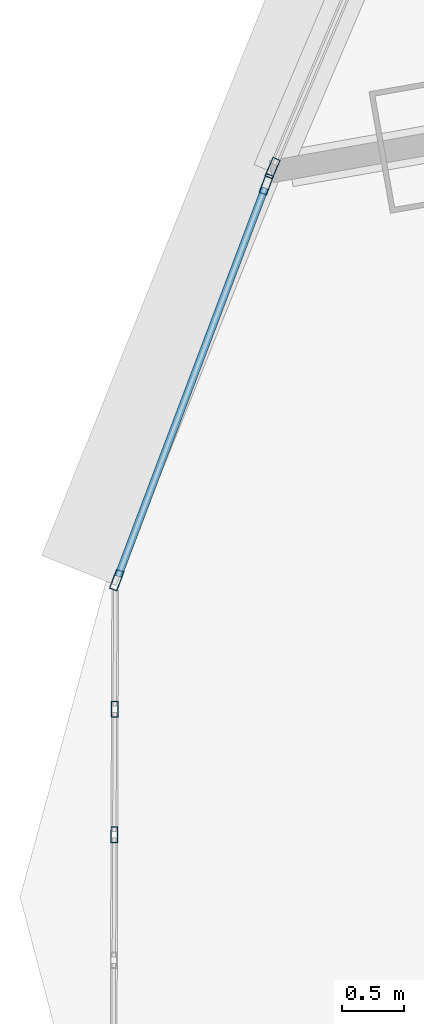
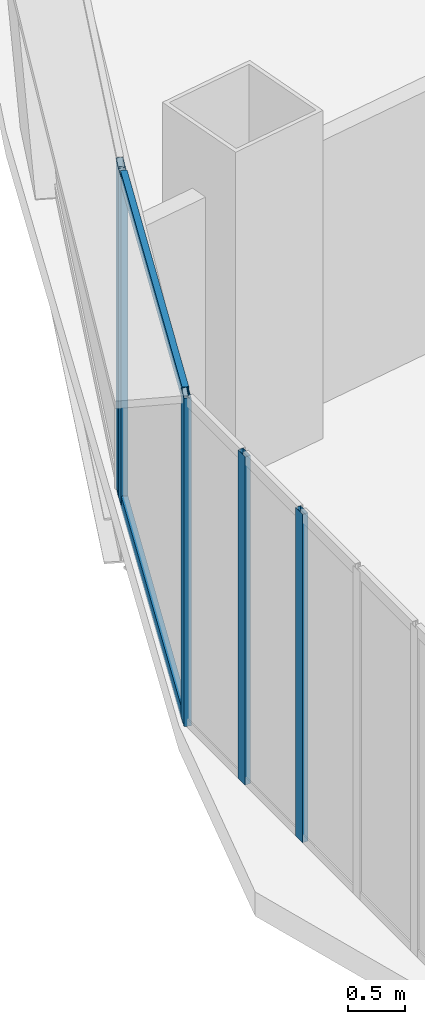
# One storey, part 4 of 41: 7 members, 3 elements without a shape of their own.
"""IFC4 building model written with IfcOpenShell, lengths in metres."""

from ifc_helpers import new_model, si_unit, direction, frame, origin, origin_2d, place, context, subcontext, project, spatial, hollow_rectangle, extrude, source, transform, mapped, material, layer, layer_set, material_profile, profile_set, type_object, element, aggregate, save


model = new_model("IFC4")

# Units and contexts
model_context = context("Model", 3, precision=1e-05, world=origin(), true_north=direction((0.0, 1.0)))
body_context = subcontext(model_context, "Body", "Model", "MODEL_VIEW")
ifc_project = project(units=[si_unit("LENGTHUNIT", "METRE"), si_unit("AREAUNIT", "SQUARE_METRE"), si_unit("VOLUMEUNIT", "CUBIC_METRE"), si_unit("PLANEANGLEUNIT", "RADIAN"), si_unit("MASSUNIT", "GRAM", prefix="KILO"), si_unit("THERMODYNAMICTEMPERATUREUNIT", "KELVIN"), si_unit("POWERUNIT", "WATT")], contexts=[model_context])

# Site, building, storey
site_placement = place(None, origin())
site = spatial("IfcSite", under=ifc_project, at=site_placement, CompositionType="ELEMENT")
building_placement = place(site_placement, origin())
building = spatial("IfcBuilding", under=site, at=building_placement, Name="Yunzhuo Pagoda Commons", CompositionType="ELEMENT")
storey_placement = place(building_placement, frame((0.0, 0.0, 115.3798828125)))
storey = spatial("IfcBuildingStorey", under=building, at=storey_placement, Name="L29", CompositionType="ELEMENT", Elevation=115.3798828125)

# Curtain wall, members
ifc_material = material(Name="Anodized aluminium 6063-T6", Category="aluminium")
ifc_layer_1 = layer(ifc_material, 0.1650390625)
ifc_layer_set_1 = layer_set([ifc_layer_1], Name="Anodized aluminium 6063-T6")
curtain_wall_type_1 = type_object("IfcCurtainWallType", Name="CW-LOW Low-Zone Ribbon Curtain Wall", PredefinedType="NOTDEFINED", material=ifc_layer_set_1)
curtain_wall_1_placement = place(storey_placement, origin())
curtain_wall_1 = element("IfcCurtainWall", 1, at=curtain_wall_1_placement, inside=storey, type_object=curtain_wall_type_1, Name="L29 curtain wall CW-L29-F3B5", PredefinedType="NOTDEFINED")
ifc_material_profile_1 = material_profile(ifc_material, hollow_rectangle(XDim=0.06005859375, YDim=0.139892578125, WallThickness=0.00341796875, at=origin_2d()), Name="Anodized aluminium 6063-T6")
ifc_profile_set_1 = profile_set([ifc_material_profile_1], Name="Anodized aluminium 6063-T6")
member_type_1 = type_object("IfcMemberType", Name="CW-LOW-T Transom RHS 140x60x3.5", PredefinedType="USERDEFINED", material=ifc_profile_set_1)
shared_shape_1 = source(origin(), body_context, "Body", "SweptSolid", [
    extrude(hollow_rectangle(XDim=0.06005859375, YDim=0.139892578125, WallThickness=0.00341796875, at=origin_2d()), origin(), (0.0, 0.0, 1.0), 3.364501953125),
])
member_1_placement = place(storey_placement, frame((8.22509765625, 26.564208984375, 0.030029296875), z_axis=(-0.353682785479, -0.935365429795, 0.0), x_axis=(0.935365429795, -0.353682785479, 0.0)))
member_1 = element("IfcMember", 2, at=member_1_placement, type_object=member_type_1, Name="CW transom 1.1", ObjectType="TRANSOM", PredefinedType="USERDEFINED", context=body_context, shape_type="MappedRepresentation", body=[
    mapped(shared_shape_1, transform((0.0, 0.0, 0.0), scale=1.0)),
])
member_2_placement = place(storey_placement, frame((8.22509765625, 26.564208984375, 3.490234375), z_axis=(-0.353682785479, -0.935365429795, 0.0), x_axis=(0.935365429795, -0.353682785479, 0.0)))
member_2 = element("IfcMember", 3, at=member_2_placement, type_object=member_type_1, Name="CW transom 1.2", ObjectType="TRANSOM", PredefinedType="USERDEFINED", context=body_context, shape_type="MappedRepresentation", body=[
    mapped(shared_shape_1, transform((0.0, 0.0, 0.0), scale=1.0)),
])

# Curtain wall, member
curtain_wall_2_placement = place(storey_placement, origin())
curtain_wall_2 = element("IfcCurtainWall", 4, at=curtain_wall_2_placement, inside=storey, type_object=curtain_wall_type_1, Name="L29 curtain wall CW-L29-F3B4", PredefinedType="NOTDEFINED")
ifc_material_profile_2 = material_profile(ifc_material, hollow_rectangle(XDim=0.06494140625, YDim=0.1650390625, WallThickness=0.00390625, at=origin_2d()), Name="Anodized aluminium 6063-T6")
ifc_profile_set_2 = profile_set([ifc_material_profile_2], Name="Anodized aluminium 6063-T6")
member_type_2 = type_object("IfcMemberType", Name="CW-LOW-M Mullion RHS 165x65x4", PredefinedType="MULLION", material=ifc_profile_set_2)
shared_shape_2 = source(origin(), body_context, "Body", "SweptSolid", [
    extrude(hollow_rectangle(XDim=0.06494140625, YDim=0.1650390625, WallThickness=0.00390625, at=origin_2d()), origin(), (0.0, 0.0, 1.0), 3.52001953125),
])
member_3_placement = place(storey_placement, frame((8.287109375, 26.72509765625, 0.0), z_axis=(0.0, 0.0, 1.0), x_axis=(0.919648900825, -0.392741517046, 0.0)))
member_3 = element("IfcMember", 5, at=member_3_placement, type_object=member_type_2, Name="CW mullion 2", PredefinedType="MULLION", context=body_context, shape_type="MappedRepresentation", body=[
    mapped(shared_shape_2, transform((0.0, 0.0, 0.0), scale=1.0)),
])
aggregate(curtain_wall_2, [member_3])

# Member
member_4_placement = place(storey_placement, frame((8.236328125, 26.5947265625, 0.0), z_axis=(0.0, 0.0, 1.0), x_axis=(0.935396805779, -0.353599796011, 0.0)))
member_4 = element("IfcMember", 6, at=member_4_placement, type_object=member_type_2, Name="CW mullion 1", PredefinedType="MULLION", context=body_context, shape_type="MappedRepresentation", body=[
    mapped(shared_shape_2, transform((0.0, 0.0, 0.0), scale=1.0)),
])

member_5_placement = place(storey_placement, frame((7.023681640625, 23.386962890625, 0.0), z_axis=(0.0, 0.0, 1.0), x_axis=(0.935396805779, -0.353599796011, 0.0)))
member_5 = element("IfcMember", 7, at=member_5_placement, type_object=member_type_2, Name="CW mullion 2", PredefinedType="MULLION", context=body_context, shape_type="MappedRepresentation", body=[
    mapped(shared_shape_2, transform((0.0, 0.0, 0.0), scale=1.0)),
])

aggregate(curtain_wall_1, [member_4, member_5, member_1, member_2])

# Curtain wall, members
ifc_layer_2 = layer(ifc_material, 0.1298828125)
ifc_layer_set_2 = layer_set([ifc_layer_2], Name="Anodized aluminium 6063-T6")
curtain_wall_type_2 = type_object("IfcCurtainWallType", Name="CW-VTX Rounded Corner Curtain Wall", PredefinedType="NOTDEFINED", material=ifc_layer_set_2)
curtain_wall_3_placement = place(storey_placement, origin())
curtain_wall_3 = element("IfcCurtainWall", 8, at=curtain_wall_3_placement, inside=storey, type_object=curtain_wall_type_2, Name="L29 curtain wall CW-L29-VTX1S1", PredefinedType="NOTDEFINED")
ifc_material_profile_3 = material_profile(ifc_material, hollow_rectangle(XDim=0.054931640625, YDim=0.1298828125, WallThickness=0.00341796875, at=origin_2d()), Name="Anodized aluminium 6063-T6")
ifc_profile_set_3 = profile_set([ifc_material_profile_3], Name="Anodized aluminium 6063-T6")
member_type_3 = type_object("IfcMemberType", Name="CW-VTX-M Mullion RHS 130x55x3.5", PredefinedType="MULLION", material=ifc_profile_set_3)
shared_shape_3 = source(origin(), body_context, "Body", "SweptSolid", [
    extrude(hollow_rectangle(XDim=0.054931640625, YDim=0.1298828125, WallThickness=0.00341796875, at=origin_2d()), origin(), (0.0, 0.0, 1.0), 3.52001953125),
])
member_6_placement = place(storey_placement, frame((7.008544921875, 22.339599609375, 0.0), z_axis=(0.0, 0.0, 1.0), x_axis=(0.999993522017, -0.003599433805, 0.0)))
member_6 = element("IfcMember", 9, at=member_6_placement, type_object=member_type_3, Name="CW mullion 2", PredefinedType="MULLION", context=body_context, shape_type="MappedRepresentation", body=[
    mapped(shared_shape_3, transform((0.0, 0.0, 0.0), scale=1.0)),
])
member_7_placement = place(storey_placement, frame((7.0048828125, 21.32275390625, 0.0), z_axis=(0.0, 0.0, 1.0), x_axis=(0.999993522017, -0.003599433805, 0.0)))
member_7 = element("IfcMember", 10, at=member_7_placement, type_object=member_type_3, Name="CW mullion 3", PredefinedType="MULLION", context=body_context, shape_type="MappedRepresentation", body=[
    mapped(shared_shape_3, transform((0.0, 0.0, 0.0), scale=1.0)),
])
aggregate(curtain_wall_3, [member_6, member_7])

save(model, "model.ifc")
